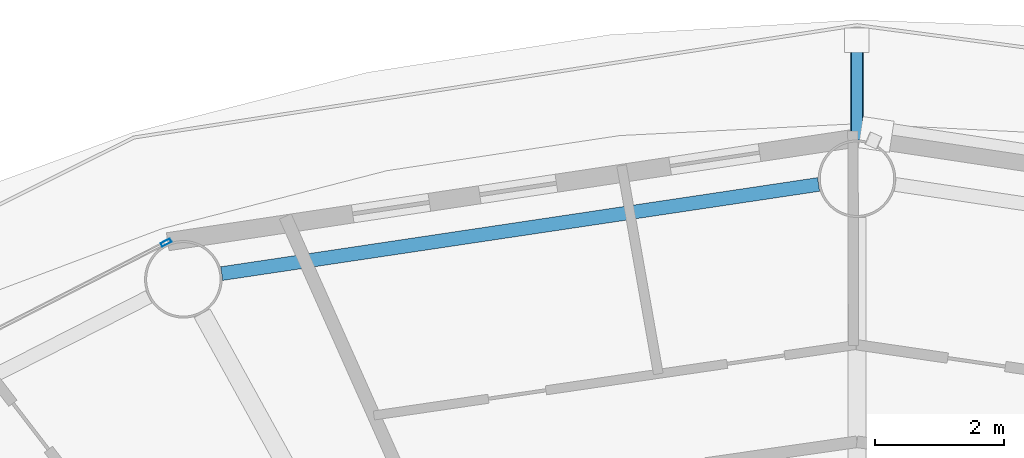
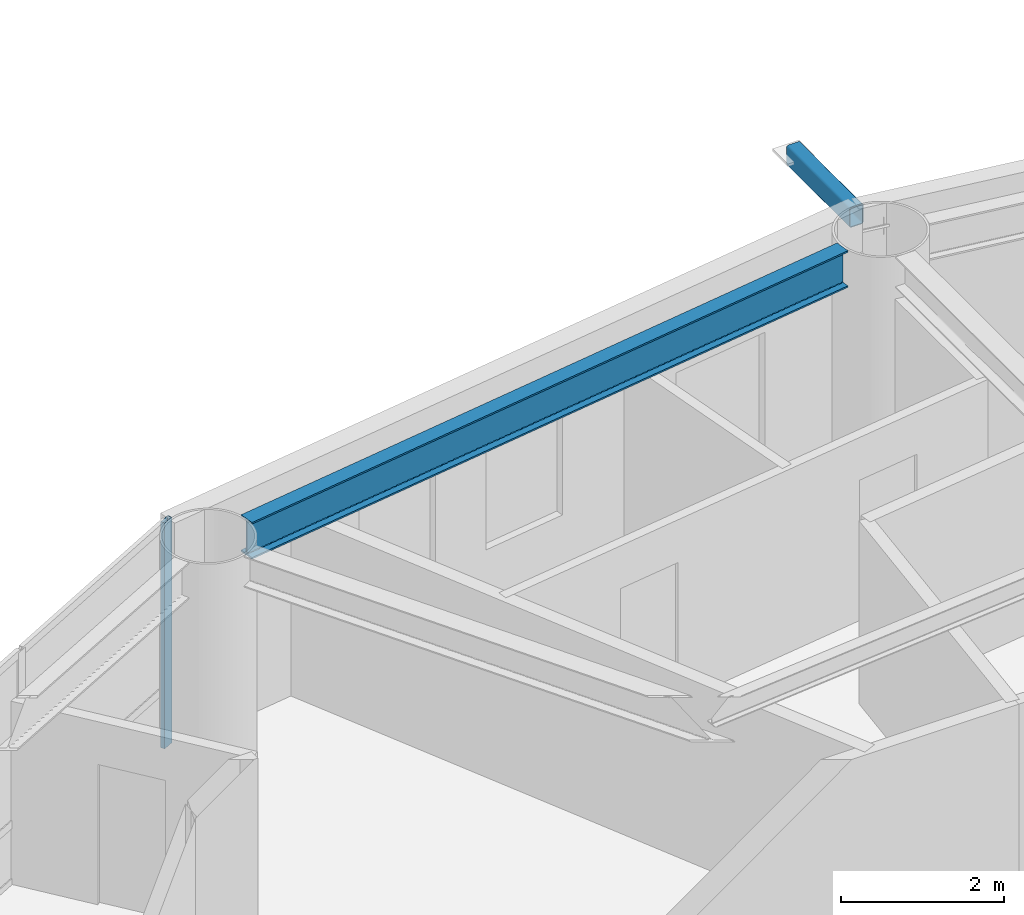
# One storey, part 13 of 28: 2 members, 1 beam, 1 element without a shape of its own.
"""IFC4 building model written with IfcOpenShell, lengths in metres."""

from ifc_helpers import new_model, si_unit, direction, frame, origin, origin_2d, place, context, subcontext, project, spatial, hollow_rectangle, i_section, extrude, material, layer, layer_set, material_profile, profile_set, type_object, element, aggregate, save


model = new_model("IFC4")

# Units and contexts
model_context = context("Model", 3, precision=1e-05, world=origin(), true_north=direction((0.0, 1.0)))
body_context = subcontext(model_context, "Body", "Model", "MODEL_VIEW")
ifc_project = project(units=[si_unit("LENGTHUNIT", "METRE"), si_unit("AREAUNIT", "SQUARE_METRE"), si_unit("VOLUMEUNIT", "CUBIC_METRE"), si_unit("PLANEANGLEUNIT", "RADIAN"), si_unit("MASSUNIT", "GRAM", prefix="KILO")], contexts=[model_context])

# Site, building, storey
site_placement = place(None, origin())
site = spatial("IfcSite", under=ifc_project, at=site_placement, CompositionType="ELEMENT")
building_placement = place(site_placement, origin())
building = spatial("IfcBuilding", under=site, at=building_placement, Name="Sarneth Arch Tower", CompositionType="ELEMENT")
storey_placement = place(building_placement, frame((0.0, 0.0, 190.199951171875)))
storey = spatial("IfcBuildingStorey", under=building, at=storey_placement, Name="L48", CompositionType="ELEMENT", Elevation=190.199951171875)

# Beam
ifc_material_1 = material(Name="Steel S355", Category="steel")
ifc_material_profile_1 = material_profile(ifc_material_1, i_section(OverallWidth=0.214111328125, OverallDepth=0.549072265625, WebThickness=0.0146484375, FlangeThickness=0.023681640625, FilletRadius=0.01806640625, at=origin_2d()), Name="W530x138")
ifc_profile_set_1 = profile_set([ifc_material_profile_1], Name="Steel S355")
beam_type = type_object("IfcBeamType", Name="BM-RAD-530A", PredefinedType="BEAM", material=ifc_profile_set_1)
beam_placement = place(storey_placement, frame((47.406494140625, 62.361328125, 3.10546875), z_axis=(-0.98902783755, -0.147729267756, 0.0), x_axis=(0.147729267756, -0.98902783755, 0.0)))
element("IfcBeam", 1, at=beam_placement, inside=storey, type_object=beam_type, Name="L48 Perimeter spandrel beam 05", PredefinedType="BEAM", context=body_context, shape_type="SweptSolid", body=[
    extrude(i_section(OverallWidth=0.214111328125, OverallDepth=0.549072265625, WebThickness=0.0146484375, FlangeThickness=0.023681640625, FilletRadius=0.01806640625, at=origin_2d()), origin(), (0.0, 0.0, 1.0), 9.33740234375),
])

# Curtain wall, member
ifc_material_2 = material(Name="Anodised aluminium Type AA25 and solar-control low-e laminated IGU", Category="aluminium")
ifc_layer = layer(ifc_material_2, 0.169921875)
ifc_layer_set = layer_set([ifc_layer], Name="Anodised aluminium Type AA25 and solar-control low-e laminated IGU")
curtain_wall_type = type_object("IfcCurtainWallType", Name="CW-RES-MID", PredefinedType="NOTDEFINED", material=ifc_layer_set)
curtain_wall_placement = place(storey_placement, origin())
curtain_wall = element("IfcCurtainWall", 2, at=curtain_wall_placement, inside=storey, type_object=curtain_wall_type, Name="L48 Unitised curtain wall facet 06", PredefinedType="NOTDEFINED")
ifc_material_3 = material(Name="Anodised Aluminium 6063-T6", Category="aluminium")
ifc_material_profile_2 = material_profile(ifc_material_3, hollow_rectangle(XDim=0.06005859375, YDim=0.159912109375, WallThickness=0.00390625, at=origin_2d()), Name="AL-MULL-160x60x4")
ifc_profile_set_2 = profile_set([ifc_material_profile_2], Name="Anodised Aluminium 6063-T6")
member_type_1 = type_object("IfcMemberType", Name="CW-MULLION", PredefinedType="MULLION", material=ifc_profile_set_2)
member_1_placement = place(storey_placement, frame((37.310546875, 61.461669921875, 0.0), z_axis=(0.0, 0.0, 1.0), x_axis=(0.456208470329, -0.88987293003, 0.0)))
member_1 = element("IfcMember", 3, at=member_1_placement, type_object=member_type_1, Name="CW-SYS-5 mullion 1", PredefinedType="MULLION", context=body_context, shape_type="SweptSolid", body=[
    extrude(hollow_rectangle(XDim=0.06005859375, YDim=0.159912109375, WallThickness=0.00390625, at=origin_2d()), origin(), (0.0, 0.0, 1.0), 3.380126953125),
])
aggregate(curtain_wall, [member_1])

# Member
ifc_material_4 = material(Name="Steel S355", Category="steel")
ifc_material_profile_3 = material_profile(ifc_material_4, hollow_rectangle(XDim=0.199951171875, YDim=0.300048828125, WallThickness=0.012451171875, InnerFilletRadius=0.018798828125, OuterFilletRadius=0.03125, at=origin_2d()), Name="RHS300x200x12.5")
ifc_profile_set_3 = profile_set([ifc_material_profile_3], Name="Steel S355")
member_type_2 = type_object("IfcMemberType", Name="MEM-CANT-STRUT", PredefinedType="STRUT", material=ifc_profile_set_3)
member_2_placement = place(storey_placement, frame((48.0, 63.050048828125, 3.219970703125), z_axis=(0.0, 1.0, 0.0), x_axis=(-1.0, 0.0, 0.0)))
element("IfcMember", 4, at=member_2_placement, inside=storey, type_object=member_type_2, Name="L48 Balcony cantilever bracket 05", PredefinedType="STRUT", context=body_context, shape_type="SweptSolid", body=[
    extrude(hollow_rectangle(XDim=0.199951171875, YDim=0.300048828125, WallThickness=0.012451171875, InnerFilletRadius=0.018798828125, OuterFilletRadius=0.03125, at=origin_2d()), origin(), (0.0, 0.0, 1.0), 1.541748046875),
])

save(model, "model.ifc")
